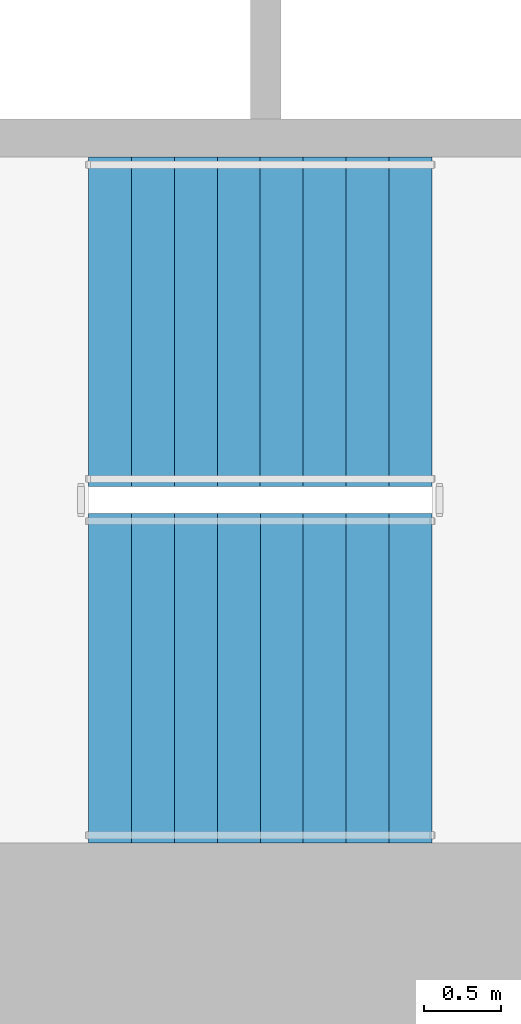
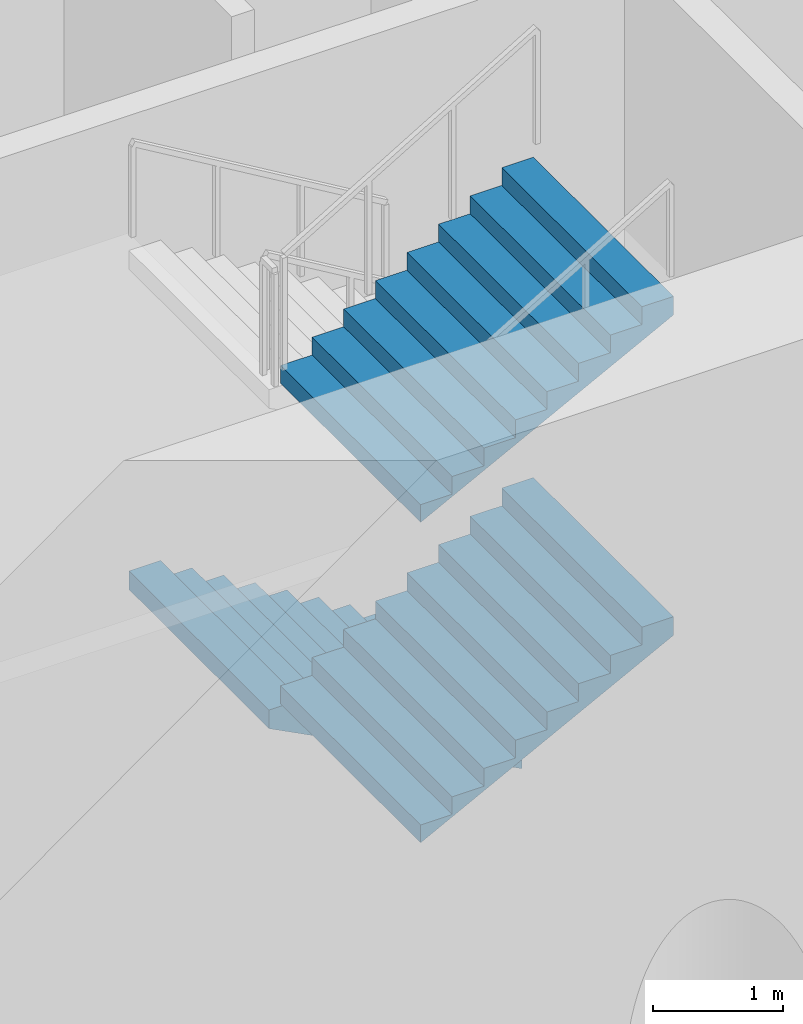
# One storey, part 11 of 19: 3 stair flights, 1 element without a shape of its own.
"""IFC4 building model written with IfcOpenShell, lengths in metres."""

from ifc_helpers import new_model, si_unit, direction, frame, origin, place, context, subcontext, project, spatial, triangles, material, type_object, element, aggregate, save


model = new_model("IFC4")

# Units and contexts
model_context = context("Model", 3, precision=1e-05, world=origin(), true_north=direction((0.0, 1.0)))
body_context = subcontext(model_context, "Body", "Model", "MODEL_VIEW")
ifc_project = project(units=[si_unit("LENGTHUNIT", "METRE"), si_unit("AREAUNIT", "SQUARE_METRE"), si_unit("VOLUMEUNIT", "CUBIC_METRE"), si_unit("PLANEANGLEUNIT", "RADIAN"), si_unit("MASSUNIT", "GRAM", prefix="KILO")], contexts=[model_context])

# Site, building, storey
site_placement = place(None, origin())
site = spatial("IfcSite", under=ifc_project, at=site_placement, CompositionType="ELEMENT")
building_placement = place(site_placement, origin())
building = spatial("IfcBuilding", under=site, at=building_placement, Name="Cypress Arch Tower", CompositionType="ELEMENT")
storey_placement = place(building_placement, frame((0.0, 0.0, 44.0)))
storey = spatial("IfcBuildingStorey", under=building, at=storey_placement, Name="L05", CompositionType="ELEMENT", Elevation=44.0)

# Stair, stair flights
ifc_material_1 = material(Name="Concrete C40/50", Category="concrete")
stair_type = type_object("IfcStairType", Name="Exit stair ES1667-215", PredefinedType="HALF_TURN_STAIR", material=ifc_material_1)
stair_placement = place(storey_placement, origin())
stair = element("IfcStair", 1, at=stair_placement, inside=storey, type_object=stair_type, Name="L05 Exit stair A", PredefinedType="HALF_TURN_STAIR")
ifc_material_2 = material(Name="Concrete C40/50", Category="concrete")
stair_flight_type = type_object("IfcStairFlightType", Name="Exit stair flight ES1667-215", PredefinedType="STRAIGHT", material=ifc_material_2)
stair_flight_1_placement = place(storey_placement, frame((-22.27490234375, -11.39990234375, 0.0), z_axis=(0.0, 0.0, 1.0), x_axis=(-1.0, 0.0, 0.0)))
stair_flight_1 = element("IfcStairFlight", 2, at=stair_flight_1_placement, type_object=stair_flight_type, Name="A flight 1", NumberOfRisers=9, NumberOfTreads=8, PredefinedType="STRAIGHT", RiserHeight=0.166666667, TreadLength=0.28, context=body_context, shape_type="Tessellation", body=[
    triangles([(0.0, -1.074951171875, 0.0), (0.000244140625, -1.074951171875, 0.0185546875), (0.000244140625, -1.074951171875, 0.037109375), (0.00048828125, -1.074951171875, 0.0556640625), (0.00048828125, -1.074951171875, 0.07421875), (0.00048828125, -1.074951171875, 0.092529296875), (0.00048828125, -1.074951171875, 0.111083984375), (0.000244140625, -1.074951171875, 0.129638671875), (0.000244140625, -1.074951171875, 0.148193359375), (0.0, -1.074951171875, 0.166748046875), (0.280029296875, -1.074951171875, 0.166748046875), (0.280029296875, -1.074951171875, 0.333251953125), (0.56005859375, -1.074951171875, 0.333251953125), (0.56005859375, -1.074951171875, 0.5), (0.840087890625, -1.074951171875, 0.5), (0.840087890625, -1.074951171875, 0.666748046875), (1.1201171875, -1.074951171875, 0.666748046875), (1.1201171875, -1.074951171875, 0.833251953125), (1.39990234375, -1.074951171875, 0.833251953125), (1.39990234375, -1.074951171875, 1.0), (1.679931640625, -1.074951171875, 1.0), (1.679931640625, -1.074951171875, 1.166748046875), (1.9599609375, -1.074951171875, 1.166748046875), (1.9599609375, -1.074951171875, 1.333251953125), (2.239990234375, -1.074951171875, 1.333251953125), (2.23974609375, -1.074951171875, 1.31396484375), (2.23974609375, -1.074951171875, 1.29443359375), (2.239501953125, -1.074951171875, 1.275146484375), (2.239501953125, -1.074951171875, 1.255859375), (2.239501953125, -1.074951171875, 1.236328125), (2.239501953125, -1.074951171875, 1.217041015625), (2.23974609375, -1.074951171875, 1.19775390625), (2.23974609375, -1.074951171875, 1.17822265625), (2.239990234375, -1.074951171875, 1.158935546875), (2.239990234375, 1.074951171875, 1.158935546875), (2.23974609375, 1.074951171875, 1.17822265625), (2.23974609375, 1.074951171875, 1.19775390625), (2.239501953125, 1.074951171875, 1.217041015625), (2.239501953125, 1.074951171875, 1.236328125), (2.239501953125, 1.074951171875, 1.255859375), (2.239501953125, 1.074951171875, 1.275146484375), (2.23974609375, 1.074951171875, 1.29443359375), (2.23974609375, 1.074951171875, 1.31396484375), (2.239990234375, 1.074951171875, 1.333251953125), (1.9599609375, 1.074951171875, 1.333251953125), (1.9599609375, 1.074951171875, 1.166748046875), (1.679931640625, 1.074951171875, 1.166748046875), (1.679931640625, 1.074951171875, 1.0), (1.39990234375, 1.074951171875, 1.0), (1.39990234375, 1.074951171875, 0.833251953125), (1.1201171875, 1.074951171875, 0.833251953125), (1.1201171875, 1.074951171875, 0.666748046875), (0.840087890625, 1.074951171875, 0.666748046875), (0.840087890625, 1.074951171875, 0.5), (0.56005859375, 1.074951171875, 0.5), (0.56005859375, 1.074951171875, 0.333251953125), (0.280029296875, 1.074951171875, 0.333251953125), (0.280029296875, 1.074951171875, 0.166748046875), (0.0, 1.074951171875, 0.166748046875), (0.000244140625, 1.074951171875, 0.148193359375), (0.000244140625, 1.074951171875, 0.129638671875), (0.00048828125, 1.074951171875, 0.111083984375), (0.00048828125, 1.074951171875, 0.092529296875), (0.00048828125, 1.074951171875, 0.07421875), (0.00048828125, 1.074951171875, 0.0556640625), (0.000244140625, 1.074951171875, 0.037109375), (0.000244140625, 1.074951171875, 0.0185546875), (0.0, 1.074951171875, 0.0), (2.23974609375, -0.3583984375, 1.17822265625), (2.239990234375, -0.3583984375, 1.158935546875), (2.23974609375, 0.3583984375, 1.17822265625), (2.239990234375, 0.3583984375, 1.158935546875), (2.23974609375, -0.3583984375, 1.19775390625), (2.23974609375, 0.3583984375, 1.19775390625), (2.239501953125, -0.3583984375, 1.217041015625), (2.239501953125, 0.3583984375, 1.217041015625), (2.239501953125, -0.3583984375, 1.236328125), (2.239501953125, 0.3583984375, 1.236328125), (2.239501953125, -0.3583984375, 1.255859375), (2.239501953125, 0.3583984375, 1.255859375), (2.239501953125, -0.3583984375, 1.275146484375), (2.239501953125, 0.3583984375, 1.275146484375), (2.23974609375, -0.3583984375, 1.29443359375), (2.23974609375, 0.3583984375, 1.29443359375), (2.23974609375, -0.3583984375, 1.31396484375), (2.23974609375, 0.3583984375, 1.31396484375), (2.239990234375, -0.3583984375, 1.333251953125), (2.239990234375, 0.3583984375, 1.333251953125), (1.9599609375, -0.3583984375, 1.333251953125), (1.9599609375, 0.3583984375, 1.333251953125), (1.9599609375, -0.3583984375, 1.166748046875), (1.9599609375, 0.3583984375, 1.166748046875), (1.679931640625, -0.3583984375, 1.166748046875), (1.679931640625, 0.3583984375, 1.166748046875), (1.679931640625, -0.3583984375, 1.0), (1.679931640625, 0.3583984375, 1.0), (1.39990234375, -0.3583984375, 1.0), (1.39990234375, 0.3583984375, 1.0), (1.39990234375, -0.3583984375, 0.833251953125), (1.39990234375, 0.3583984375, 0.833251953125), (1.1201171875, -0.3583984375, 0.833251953125), (1.1201171875, 0.3583984375, 0.833251953125), (1.1201171875, -0.3583984375, 0.666748046875), (1.1201171875, 0.3583984375, 0.666748046875), (0.840087890625, -0.3583984375, 0.666748046875), (0.840087890625, 0.3583984375, 0.666748046875), (0.840087890625, -0.3583984375, 0.5), (0.840087890625, 0.3583984375, 0.5), (0.56005859375, -0.3583984375, 0.5), (0.56005859375, 0.3583984375, 0.5), (0.56005859375, -0.3583984375, 0.333251953125), (0.56005859375, 0.3583984375, 0.333251953125), (0.280029296875, -0.3583984375, 0.333251953125), (0.280029296875, 0.3583984375, 0.333251953125), (0.280029296875, -0.3583984375, 0.166748046875), (0.280029296875, 0.3583984375, 0.166748046875), (0.0, -0.3583984375, 0.166748046875), (0.0, 0.3583984375, 0.166748046875), (0.000244140625, -0.3583984375, 0.148193359375), (0.000244140625, 0.3583984375, 0.148193359375), (0.000244140625, -0.3583984375, 0.129638671875), (0.000244140625, 0.3583984375, 0.129638671875), (0.00048828125, -0.3583984375, 0.111083984375), (0.00048828125, 0.3583984375, 0.111083984375), (0.00048828125, -0.3583984375, 0.092529296875), (0.00048828125, 0.3583984375, 0.092529296875), (0.00048828125, -0.3583984375, 0.07421875), (0.00048828125, 0.3583984375, 0.07421875), (0.00048828125, -0.3583984375, 0.0556640625), (0.00048828125, 0.3583984375, 0.0556640625), (0.000244140625, -0.3583984375, 0.037109375), (0.000244140625, 0.3583984375, 0.037109375), (0.000244140625, -0.3583984375, 0.0185546875), (0.000244140625, 0.3583984375, 0.0185546875), (0.0, -0.3583984375, 0.0), (0.0, 0.3583984375, 0.0)], [[34, 33, 24], [33, 32, 24], [32, 31, 24], [31, 30, 24], [30, 29, 24], [29, 28, 24], [28, 27, 24], [27, 26, 24], [26, 25, 24], [23, 22, 21], [21, 20, 19], [17, 16, 15], [15, 14, 13], [10, 9, 11], [9, 8, 11], [8, 7, 11], [7, 6, 11], [6, 5, 11], [5, 4, 11], [4, 3, 11], [3, 2, 11], [2, 1, 11], [19, 18, 17], [13, 12, 11], [34, 24, 23], [34, 23, 21], [34, 21, 19], [34, 19, 17], [34, 17, 15], [34, 15, 13], [1, 34, 13], [13, 11, 1], [35, 45, 36], [36, 45, 37], [37, 45, 38], [38, 45, 39], [39, 45, 40], [40, 45, 41], [41, 45, 42], [42, 45, 43], [43, 45, 44], [46, 48, 47], [48, 50, 49], [52, 54, 53], [54, 56, 55], [59, 58, 60], [60, 58, 61], [61, 58, 62], [62, 58, 63], [63, 58, 64], [64, 58, 65], [65, 58, 66], [66, 58, 67], [67, 58, 68], [50, 52, 51], [56, 58, 57], [35, 46, 45], [35, 48, 46], [35, 50, 48], [35, 52, 50], [35, 54, 52], [35, 56, 54], [68, 56, 35], [56, 68, 58], [70, 69, 33], [70, 33, 34], [72, 71, 69], [72, 69, 70], [35, 36, 71], [35, 71, 72], [69, 73, 32], [69, 32, 33], [71, 74, 73], [71, 73, 69], [36, 37, 74], [36, 74, 71], [73, 75, 31], [73, 31, 32], [74, 76, 75], [74, 75, 73], [37, 38, 76], [37, 76, 74], [75, 77, 30], [75, 30, 31], [76, 78, 77], [76, 77, 75], [38, 39, 78], [38, 78, 76], [77, 79, 29], [77, 29, 30], [78, 80, 79], [78, 79, 77], [39, 40, 80], [39, 80, 78], [79, 81, 28], [79, 28, 29], [80, 82, 81], [80, 81, 79], [40, 41, 82], [40, 82, 80], [81, 83, 27], [81, 27, 28], [82, 84, 83], [82, 83, 81], [41, 42, 84], [41, 84, 82], [83, 85, 26], [83, 26, 27], [84, 86, 85], [84, 85, 83], [42, 43, 86], [42, 86, 84], [85, 87, 25], [85, 25, 26], [86, 88, 87], [86, 87, 85], [43, 44, 88], [43, 88, 86], [87, 89, 24], [87, 24, 25], [88, 90, 89], [88, 89, 87], [44, 45, 90], [44, 90, 88], [89, 91, 23], [89, 23, 24], [90, 92, 91], [90, 91, 89], [45, 46, 92], [45, 92, 90], [91, 93, 22], [91, 22, 23], [92, 94, 93], [92, 93, 91], [46, 47, 94], [46, 94, 92], [93, 95, 21], [93, 21, 22], [94, 96, 95], [94, 95, 93], [47, 48, 96], [47, 96, 94], [95, 97, 20], [95, 20, 21], [96, 98, 97], [96, 97, 95], [48, 49, 98], [48, 98, 96], [97, 99, 19], [97, 19, 20], [98, 100, 99], [98, 99, 97], [49, 50, 100], [49, 100, 98], [99, 101, 18], [99, 18, 19], [100, 102, 101], [100, 101, 99], [50, 51, 102], [50, 102, 100], [101, 103, 17], [101, 17, 18], [102, 104, 103], [102, 103, 101], [51, 52, 104], [51, 104, 102], [103, 105, 16], [103, 16, 17], [104, 106, 105], [104, 105, 103], [52, 53, 106], [52, 106, 104], [105, 107, 15], [105, 15, 16], [106, 108, 107], [106, 107, 105], [53, 54, 108], [53, 108, 106], [107, 109, 14], [107, 14, 15], [108, 110, 109], [108, 109, 107], [54, 55, 110], [54, 110, 108], [109, 111, 13], [109, 13, 14], [110, 112, 111], [110, 111, 109], [55, 56, 112], [55, 112, 110], [111, 113, 12], [111, 12, 13], [112, 114, 113], [112, 113, 111], [56, 57, 114], [56, 114, 112], [113, 115, 11], [113, 11, 12], [114, 116, 115], [114, 115, 113], [57, 58, 116], [57, 116, 114], [115, 117, 10], [115, 10, 11], [116, 118, 117], [116, 117, 115], [58, 59, 118], [58, 118, 116], [117, 119, 9], [117, 9, 10], [118, 120, 119], [118, 119, 117], [59, 60, 120], [59, 120, 118], [119, 121, 8], [119, 8, 9], [120, 122, 121], [120, 121, 119], [60, 61, 122], [60, 122, 120], [121, 123, 7], [121, 7, 8], [122, 124, 123], [122, 123, 121], [61, 62, 124], [61, 124, 122], [123, 125, 6], [123, 6, 7], [124, 126, 125], [124, 125, 123], [62, 63, 126], [62, 126, 124], [125, 127, 5], [125, 5, 6], [126, 128, 127], [126, 127, 125], [63, 64, 128], [63, 128, 126], [127, 129, 4], [127, 4, 5], [128, 130, 129], [128, 129, 127], [64, 65, 130], [64, 130, 128], [129, 131, 3], [129, 3, 4], [130, 132, 131], [130, 131, 129], [65, 66, 132], [65, 132, 130], [131, 133, 2], [131, 2, 3], [132, 134, 133], [132, 133, 131], [66, 67, 134], [66, 134, 132], [133, 135, 1], [133, 1, 2], [134, 136, 135], [134, 135, 133], [67, 68, 136], [67, 136, 134], [135, 70, 34], [135, 34, 1], [136, 72, 70], [136, 70, 135], [68, 35, 72], [68, 72, 136]], closed=True),
])
stair_flight_2_placement = place(storey_placement, frame((-24.514892578125, -13.72509765625, 1.5), z_axis=(0.0, 0.0, 1.0), x_axis=(1.0, 0.0, 0.0)))
stair_flight_2 = element("IfcStairFlight", 3, at=stair_flight_2_placement, type_object=stair_flight_type, Name="A flight 2", NumberOfRisers=9, NumberOfTreads=8, PredefinedType="STRAIGHT", RiserHeight=0.166666667, TreadLength=0.28, context=body_context, shape_type="Tessellation", body=[
    triangles([(0.0, -1.074951171875, 0.0), (0.000244140625, -1.074951171875, 0.0185546875), (0.000244140625, -1.074951171875, 0.037109375), (0.00048828125, -1.074951171875, 0.0556640625), (0.00048828125, -1.074951171875, 0.07421875), (0.00048828125, -1.074951171875, 0.092529296875), (0.00048828125, -1.074951171875, 0.111083984375), (0.000244140625, -1.074951171875, 0.129638671875), (0.000244140625, -1.074951171875, 0.148193359375), (0.0, -1.074951171875, 0.166748046875), (0.280029296875, -1.074951171875, 0.166748046875), (0.280029296875, -1.074951171875, 0.333251953125), (0.56005859375, -1.074951171875, 0.333251953125), (0.56005859375, -1.074951171875, 0.5), (0.840087890625, -1.074951171875, 0.5), (0.840087890625, -1.074951171875, 0.666748046875), (1.1201171875, -1.074951171875, 0.666748046875), (1.1201171875, -1.074951171875, 0.833251953125), (1.39990234375, -1.074951171875, 0.833251953125), (1.39990234375, -1.074951171875, 1.0), (1.679931640625, -1.074951171875, 1.0), (1.679931640625, -1.074951171875, 1.166748046875), (1.9599609375, -1.074951171875, 1.166748046875), (1.9599609375, -1.074951171875, 1.333251953125), (2.239990234375, -1.074951171875, 1.333251953125), (2.23974609375, -1.074951171875, 1.31396484375), (2.23974609375, -1.074951171875, 1.29443359375), (2.239501953125, -1.074951171875, 1.275146484375), (2.239501953125, -1.074951171875, 1.255859375), (2.239501953125, -1.074951171875, 1.236328125), (2.239501953125, -1.074951171875, 1.217041015625), (2.23974609375, -1.074951171875, 1.19775390625), (2.23974609375, -1.074951171875, 1.17822265625), (2.239990234375, -1.074951171875, 1.158935546875), (2.239990234375, 1.074951171875, 1.158935546875), (2.23974609375, 1.074951171875, 1.17822265625), (2.23974609375, 1.074951171875, 1.19775390625), (2.239501953125, 1.074951171875, 1.217041015625), (2.239501953125, 1.074951171875, 1.236328125), (2.239501953125, 1.074951171875, 1.255859375), (2.239501953125, 1.074951171875, 1.275146484375), (2.23974609375, 1.074951171875, 1.29443359375), (2.23974609375, 1.074951171875, 1.31396484375), (2.239990234375, 1.074951171875, 1.333251953125), (1.9599609375, 1.074951171875, 1.333251953125), (1.9599609375, 1.074951171875, 1.166748046875), (1.679931640625, 1.074951171875, 1.166748046875), (1.679931640625, 1.074951171875, 1.0), (1.39990234375, 1.074951171875, 1.0), (1.39990234375, 1.074951171875, 0.833251953125), (1.1201171875, 1.074951171875, 0.833251953125), (1.1201171875, 1.074951171875, 0.666748046875), (0.840087890625, 1.074951171875, 0.666748046875), (0.840087890625, 1.074951171875, 0.5), (0.56005859375, 1.074951171875, 0.5), (0.56005859375, 1.074951171875, 0.333251953125), (0.280029296875, 1.074951171875, 0.333251953125), (0.280029296875, 1.074951171875, 0.166748046875), (0.0, 1.074951171875, 0.166748046875), (0.000244140625, 1.074951171875, 0.148193359375), (0.000244140625, 1.074951171875, 0.129638671875), (0.00048828125, 1.074951171875, 0.111083984375), (0.00048828125, 1.074951171875, 0.092529296875), (0.00048828125, 1.074951171875, 0.07421875), (0.00048828125, 1.074951171875, 0.0556640625), (0.000244140625, 1.074951171875, 0.037109375), (0.000244140625, 1.074951171875, 0.0185546875), (0.0, 1.074951171875, 0.0), (2.23974609375, -0.3583984375, 1.17822265625), (2.239990234375, -0.3583984375, 1.158935546875), (2.23974609375, 0.3583984375, 1.17822265625), (2.239990234375, 0.3583984375, 1.158935546875), (2.23974609375, -0.3583984375, 1.19775390625), (2.23974609375, 0.3583984375, 1.19775390625), (2.239501953125, -0.3583984375, 1.217041015625), (2.239501953125, 0.3583984375, 1.217041015625), (2.239501953125, -0.3583984375, 1.236328125), (2.239501953125, 0.3583984375, 1.236328125), (2.239501953125, -0.3583984375, 1.255859375), (2.239501953125, 0.3583984375, 1.255859375), (2.239501953125, -0.3583984375, 1.275146484375), (2.239501953125, 0.3583984375, 1.275146484375), (2.23974609375, -0.3583984375, 1.29443359375), (2.23974609375, 0.3583984375, 1.29443359375), (2.23974609375, -0.3583984375, 1.31396484375), (2.23974609375, 0.3583984375, 1.31396484375), (2.239990234375, -0.3583984375, 1.333251953125), (2.239990234375, 0.3583984375, 1.333251953125), (1.9599609375, -0.3583984375, 1.333251953125), (1.9599609375, 0.3583984375, 1.333251953125), (1.9599609375, -0.3583984375, 1.166748046875), (1.9599609375, 0.3583984375, 1.166748046875), (1.679931640625, -0.3583984375, 1.166748046875), (1.679931640625, 0.3583984375, 1.166748046875), (1.679931640625, -0.3583984375, 1.0), (1.679931640625, 0.3583984375, 1.0), (1.39990234375, -0.3583984375, 1.0), (1.39990234375, 0.3583984375, 1.0), (1.39990234375, -0.3583984375, 0.833251953125), (1.39990234375, 0.3583984375, 0.833251953125), (1.1201171875, -0.3583984375, 0.833251953125), (1.1201171875, 0.3583984375, 0.833251953125), (1.1201171875, -0.3583984375, 0.666748046875), (1.1201171875, 0.3583984375, 0.666748046875), (0.840087890625, -0.3583984375, 0.666748046875), (0.840087890625, 0.3583984375, 0.666748046875), (0.840087890625, -0.3583984375, 0.5), (0.840087890625, 0.3583984375, 0.5), (0.56005859375, -0.3583984375, 0.5), (0.56005859375, 0.3583984375, 0.5), (0.56005859375, -0.3583984375, 0.333251953125), (0.56005859375, 0.3583984375, 0.333251953125), (0.280029296875, -0.3583984375, 0.333251953125), (0.280029296875, 0.3583984375, 0.333251953125), (0.280029296875, -0.3583984375, 0.166748046875), (0.280029296875, 0.3583984375, 0.166748046875), (0.0, -0.3583984375, 0.166748046875), (0.0, 0.3583984375, 0.166748046875), (0.000244140625, -0.3583984375, 0.148193359375), (0.000244140625, 0.3583984375, 0.148193359375), (0.000244140625, -0.3583984375, 0.129638671875), (0.000244140625, 0.3583984375, 0.129638671875), (0.00048828125, -0.3583984375, 0.111083984375), (0.00048828125, 0.3583984375, 0.111083984375), (0.00048828125, -0.3583984375, 0.092529296875), (0.00048828125, 0.3583984375, 0.092529296875), (0.00048828125, -0.3583984375, 0.07421875), (0.00048828125, 0.3583984375, 0.07421875), (0.00048828125, -0.3583984375, 0.0556640625), (0.00048828125, 0.3583984375, 0.0556640625), (0.000244140625, -0.3583984375, 0.037109375), (0.000244140625, 0.3583984375, 0.037109375), (0.000244140625, -0.3583984375, 0.0185546875), (0.000244140625, 0.3583984375, 0.0185546875), (0.0, -0.3583984375, 0.0), (0.0, 0.3583984375, 0.0)], [[34, 33, 24], [33, 32, 24], [32, 31, 24], [31, 30, 24], [30, 29, 24], [29, 28, 24], [28, 27, 24], [27, 26, 24], [26, 25, 24], [23, 22, 21], [21, 20, 19], [17, 16, 15], [15, 14, 13], [10, 9, 11], [9, 8, 11], [8, 7, 11], [7, 6, 11], [6, 5, 11], [5, 4, 11], [4, 3, 11], [3, 2, 11], [2, 1, 11], [19, 18, 17], [13, 12, 11], [34, 24, 23], [34, 23, 21], [34, 21, 19], [34, 19, 17], [34, 17, 15], [34, 15, 13], [1, 34, 13], [13, 11, 1], [35, 45, 36], [36, 45, 37], [37, 45, 38], [38, 45, 39], [39, 45, 40], [40, 45, 41], [41, 45, 42], [42, 45, 43], [43, 45, 44], [46, 48, 47], [48, 50, 49], [52, 54, 53], [54, 56, 55], [59, 58, 60], [60, 58, 61], [61, 58, 62], [62, 58, 63], [63, 58, 64], [64, 58, 65], [65, 58, 66], [66, 58, 67], [67, 58, 68], [50, 52, 51], [56, 58, 57], [35, 46, 45], [35, 48, 46], [35, 50, 48], [35, 52, 50], [35, 54, 52], [35, 56, 54], [68, 56, 35], [56, 68, 58], [70, 69, 33], [70, 33, 34], [72, 71, 69], [72, 69, 70], [35, 36, 71], [35, 71, 72], [69, 73, 32], [69, 32, 33], [71, 74, 73], [71, 73, 69], [36, 37, 74], [36, 74, 71], [73, 75, 31], [73, 31, 32], [74, 76, 75], [74, 75, 73], [37, 38, 76], [37, 76, 74], [75, 77, 30], [75, 30, 31], [76, 78, 77], [76, 77, 75], [38, 39, 78], [38, 78, 76], [77, 79, 29], [77, 29, 30], [78, 80, 79], [78, 79, 77], [39, 40, 80], [39, 80, 78], [79, 81, 28], [79, 28, 29], [80, 82, 81], [80, 81, 79], [40, 41, 82], [40, 82, 80], [81, 83, 27], [81, 27, 28], [82, 84, 83], [82, 83, 81], [41, 42, 84], [41, 84, 82], [83, 85, 26], [83, 26, 27], [84, 86, 85], [84, 85, 83], [42, 43, 86], [42, 86, 84], [85, 87, 25], [85, 25, 26], [86, 88, 87], [86, 87, 85], [43, 44, 88], [43, 88, 86], [87, 89, 24], [87, 24, 25], [88, 90, 89], [88, 89, 87], [44, 45, 90], [44, 90, 88], [89, 91, 23], [89, 23, 24], [90, 92, 91], [90, 91, 89], [45, 46, 92], [45, 92, 90], [91, 93, 22], [91, 22, 23], [92, 94, 93], [92, 93, 91], [46, 47, 94], [46, 94, 92], [93, 95, 21], [93, 21, 22], [94, 96, 95], [94, 95, 93], [47, 48, 96], [47, 96, 94], [95, 97, 20], [95, 20, 21], [96, 98, 97], [96, 97, 95], [48, 49, 98], [48, 98, 96], [97, 99, 19], [97, 19, 20], [98, 100, 99], [98, 99, 97], [49, 50, 100], [49, 100, 98], [99, 101, 18], [99, 18, 19], [100, 102, 101], [100, 101, 99], [50, 51, 102], [50, 102, 100], [101, 103, 17], [101, 17, 18], [102, 104, 103], [102, 103, 101], [51, 52, 104], [51, 104, 102], [103, 105, 16], [103, 16, 17], [104, 106, 105], [104, 105, 103], [52, 53, 106], [52, 106, 104], [105, 107, 15], [105, 15, 16], [106, 108, 107], [106, 107, 105], [53, 54, 108], [53, 108, 106], [107, 109, 14], [107, 14, 15], [108, 110, 109], [108, 109, 107], [54, 55, 110], [54, 110, 108], [109, 111, 13], [109, 13, 14], [110, 112, 111], [110, 111, 109], [55, 56, 112], [55, 112, 110], [111, 113, 12], [111, 12, 13], [112, 114, 113], [112, 113, 111], [56, 57, 114], [56, 114, 112], [113, 115, 11], [113, 11, 12], [114, 116, 115], [114, 115, 113], [57, 58, 116], [57, 116, 114], [115, 117, 10], [115, 10, 11], [116, 118, 117], [116, 117, 115], [58, 59, 118], [58, 118, 116], [117, 119, 9], [117, 9, 10], [118, 120, 119], [118, 119, 117], [59, 60, 120], [59, 120, 118], [119, 121, 8], [119, 8, 9], [120, 122, 121], [120, 121, 119], [60, 61, 122], [60, 122, 120], [121, 123, 7], [121, 7, 8], [122, 124, 123], [122, 123, 121], [61, 62, 124], [61, 124, 122], [123, 125, 6], [123, 6, 7], [124, 126, 125], [124, 125, 123], [62, 63, 126], [62, 126, 124], [125, 127, 5], [125, 5, 6], [126, 128, 127], [126, 127, 125], [63, 64, 128], [63, 128, 126], [127, 129, 4], [127, 4, 5], [128, 130, 129], [128, 129, 127], [64, 65, 130], [64, 130, 128], [129, 131, 3], [129, 3, 4], [130, 132, 131], [130, 131, 129], [65, 66, 132], [65, 132, 130], [131, 133, 2], [131, 2, 3], [132, 134, 133], [132, 133, 131], [66, 67, 134], [66, 134, 132], [133, 135, 1], [133, 1, 2], [134, 136, 135], [134, 135, 133], [67, 68, 136], [67, 136, 134], [135, 70, 34], [135, 34, 1], [136, 72, 70], [136, 70, 135], [68, 35, 72], [68, 72, 136]], closed=True),
])
stair_flight_3_placement = place(storey_placement, frame((-24.514892578125, -13.72509765625, 4.5), z_axis=(0.0, 0.0, 1.0), x_axis=(1.0, 0.0, 0.0)))
stair_flight_3 = element("IfcStairFlight", 4, at=stair_flight_3_placement, type_object=stair_flight_type, Name="A flight 4", NumberOfRisers=9, NumberOfTreads=8, PredefinedType="STRAIGHT", RiserHeight=0.166666667, TreadLength=0.28, context=body_context, shape_type="Tessellation", body=[
    triangles([(0.0, -1.074951171875, 0.0), (0.000244140625, -1.074951171875, 0.0185546875), (0.000244140625, -1.074951171875, 0.037109375), (0.00048828125, -1.074951171875, 0.0556640625), (0.00048828125, -1.074951171875, 0.07421875), (0.00048828125, -1.074951171875, 0.092529296875), (0.00048828125, -1.074951171875, 0.111083984375), (0.000244140625, -1.074951171875, 0.129638671875), (0.000244140625, -1.074951171875, 0.148193359375), (0.0, -1.074951171875, 0.166748046875), (0.280029296875, -1.074951171875, 0.166748046875), (0.280029296875, -1.074951171875, 0.333251953125), (0.56005859375, -1.074951171875, 0.333251953125), (0.56005859375, -1.074951171875, 0.5), (0.840087890625, -1.074951171875, 0.5), (0.840087890625, -1.074951171875, 0.666748046875), (1.1201171875, -1.074951171875, 0.666748046875), (1.1201171875, -1.074951171875, 0.833251953125), (1.39990234375, -1.074951171875, 0.833251953125), (1.39990234375, -1.074951171875, 1.0), (1.679931640625, -1.074951171875, 1.0), (1.679931640625, -1.074951171875, 1.166748046875), (1.9599609375, -1.074951171875, 1.166748046875), (1.9599609375, -1.074951171875, 1.333251953125), (2.239990234375, -1.074951171875, 1.333251953125), (2.23974609375, -1.074951171875, 1.31396484375), (2.23974609375, -1.074951171875, 1.29443359375), (2.239501953125, -1.074951171875, 1.275146484375), (2.239501953125, -1.074951171875, 1.255859375), (2.239501953125, -1.074951171875, 1.236328125), (2.239501953125, -1.074951171875, 1.217041015625), (2.23974609375, -1.074951171875, 1.19775390625), (2.23974609375, -1.074951171875, 1.17822265625), (2.239990234375, -1.074951171875, 1.158935546875), (2.239990234375, 1.074951171875, 1.158935546875), (2.23974609375, 1.074951171875, 1.17822265625), (2.23974609375, 1.074951171875, 1.19775390625), (2.239501953125, 1.074951171875, 1.217041015625), (2.239501953125, 1.074951171875, 1.236328125), (2.239501953125, 1.074951171875, 1.255859375), (2.239501953125, 1.074951171875, 1.275146484375), (2.23974609375, 1.074951171875, 1.29443359375), (2.23974609375, 1.074951171875, 1.31396484375), (2.239990234375, 1.074951171875, 1.333251953125), (1.9599609375, 1.074951171875, 1.333251953125), (1.9599609375, 1.074951171875, 1.166748046875), (1.679931640625, 1.074951171875, 1.166748046875), (1.679931640625, 1.074951171875, 1.0), (1.39990234375, 1.074951171875, 1.0), (1.39990234375, 1.074951171875, 0.833251953125), (1.1201171875, 1.074951171875, 0.833251953125), (1.1201171875, 1.074951171875, 0.666748046875), (0.840087890625, 1.074951171875, 0.666748046875), (0.840087890625, 1.074951171875, 0.5), (0.56005859375, 1.074951171875, 0.5), (0.56005859375, 1.074951171875, 0.333251953125), (0.280029296875, 1.074951171875, 0.333251953125), (0.280029296875, 1.074951171875, 0.166748046875), (0.0, 1.074951171875, 0.166748046875), (0.000244140625, 1.074951171875, 0.148193359375), (0.000244140625, 1.074951171875, 0.129638671875), (0.00048828125, 1.074951171875, 0.111083984375), (0.00048828125, 1.074951171875, 0.092529296875), (0.00048828125, 1.074951171875, 0.07421875), (0.00048828125, 1.074951171875, 0.0556640625), (0.000244140625, 1.074951171875, 0.037109375), (0.000244140625, 1.074951171875, 0.0185546875), (0.0, 1.074951171875, 0.0), (2.23974609375, -0.3583984375, 1.17822265625), (2.239990234375, -0.3583984375, 1.158935546875), (2.23974609375, 0.3583984375, 1.17822265625), (2.239990234375, 0.3583984375, 1.158935546875), (2.23974609375, -0.3583984375, 1.19775390625), (2.23974609375, 0.3583984375, 1.19775390625), (2.239501953125, -0.3583984375, 1.217041015625), (2.239501953125, 0.3583984375, 1.217041015625), (2.239501953125, -0.3583984375, 1.236328125), (2.239501953125, 0.3583984375, 1.236328125), (2.239501953125, -0.3583984375, 1.255859375), (2.239501953125, 0.3583984375, 1.255859375), (2.239501953125, -0.3583984375, 1.275146484375), (2.239501953125, 0.3583984375, 1.275146484375), (2.23974609375, -0.3583984375, 1.29443359375), (2.23974609375, 0.3583984375, 1.29443359375), (2.23974609375, -0.3583984375, 1.31396484375), (2.23974609375, 0.3583984375, 1.31396484375), (2.239990234375, -0.3583984375, 1.333251953125), (2.239990234375, 0.3583984375, 1.333251953125), (1.9599609375, -0.3583984375, 1.333251953125), (1.9599609375, 0.3583984375, 1.333251953125), (1.9599609375, -0.3583984375, 1.166748046875), (1.9599609375, 0.3583984375, 1.166748046875), (1.679931640625, -0.3583984375, 1.166748046875), (1.679931640625, 0.3583984375, 1.166748046875), (1.679931640625, -0.3583984375, 1.0), (1.679931640625, 0.3583984375, 1.0), (1.39990234375, -0.3583984375, 1.0), (1.39990234375, 0.3583984375, 1.0), (1.39990234375, -0.3583984375, 0.833251953125), (1.39990234375, 0.3583984375, 0.833251953125), (1.1201171875, -0.3583984375, 0.833251953125), (1.1201171875, 0.3583984375, 0.833251953125), (1.1201171875, -0.3583984375, 0.666748046875), (1.1201171875, 0.3583984375, 0.666748046875), (0.840087890625, -0.3583984375, 0.666748046875), (0.840087890625, 0.3583984375, 0.666748046875), (0.840087890625, -0.3583984375, 0.5), (0.840087890625, 0.3583984375, 0.5), (0.56005859375, -0.3583984375, 0.5), (0.56005859375, 0.3583984375, 0.5), (0.56005859375, -0.3583984375, 0.333251953125), (0.56005859375, 0.3583984375, 0.333251953125), (0.280029296875, -0.3583984375, 0.333251953125), (0.280029296875, 0.3583984375, 0.333251953125), (0.280029296875, -0.3583984375, 0.166748046875), (0.280029296875, 0.3583984375, 0.166748046875), (0.0, -0.3583984375, 0.166748046875), (0.0, 0.3583984375, 0.166748046875), (0.000244140625, -0.3583984375, 0.148193359375), (0.000244140625, 0.3583984375, 0.148193359375), (0.000244140625, -0.3583984375, 0.129638671875), (0.000244140625, 0.3583984375, 0.129638671875), (0.00048828125, -0.3583984375, 0.111083984375), (0.00048828125, 0.3583984375, 0.111083984375), (0.00048828125, -0.3583984375, 0.092529296875), (0.00048828125, 0.3583984375, 0.092529296875), (0.00048828125, -0.3583984375, 0.07421875), (0.00048828125, 0.3583984375, 0.07421875), (0.00048828125, -0.3583984375, 0.0556640625), (0.00048828125, 0.3583984375, 0.0556640625), (0.000244140625, -0.3583984375, 0.037109375), (0.000244140625, 0.3583984375, 0.037109375), (0.000244140625, -0.3583984375, 0.0185546875), (0.000244140625, 0.3583984375, 0.0185546875), (0.0, -0.3583984375, 0.0), (0.0, 0.3583984375, 0.0)], [[34, 33, 24], [33, 32, 24], [32, 31, 24], [31, 30, 24], [30, 29, 24], [29, 28, 24], [28, 27, 24], [27, 26, 24], [26, 25, 24], [23, 22, 21], [21, 20, 19], [17, 16, 15], [15, 14, 13], [10, 9, 11], [9, 8, 11], [8, 7, 11], [7, 6, 11], [6, 5, 11], [5, 4, 11], [4, 3, 11], [3, 2, 11], [2, 1, 11], [19, 18, 17], [13, 12, 11], [34, 24, 23], [34, 23, 21], [34, 21, 19], [34, 19, 17], [34, 17, 15], [34, 15, 13], [1, 34, 13], [13, 11, 1], [35, 45, 36], [36, 45, 37], [37, 45, 38], [38, 45, 39], [39, 45, 40], [40, 45, 41], [41, 45, 42], [42, 45, 43], [43, 45, 44], [46, 48, 47], [48, 50, 49], [52, 54, 53], [54, 56, 55], [59, 58, 60], [60, 58, 61], [61, 58, 62], [62, 58, 63], [63, 58, 64], [64, 58, 65], [65, 58, 66], [66, 58, 67], [67, 58, 68], [50, 52, 51], [56, 58, 57], [35, 46, 45], [35, 48, 46], [35, 50, 48], [35, 52, 50], [35, 54, 52], [35, 56, 54], [68, 56, 35], [56, 68, 58], [70, 69, 33], [70, 33, 34], [72, 71, 69], [72, 69, 70], [35, 36, 71], [35, 71, 72], [69, 73, 32], [69, 32, 33], [71, 74, 73], [71, 73, 69], [36, 37, 74], [36, 74, 71], [73, 75, 31], [73, 31, 32], [74, 76, 75], [74, 75, 73], [37, 38, 76], [37, 76, 74], [75, 77, 30], [75, 30, 31], [76, 78, 77], [76, 77, 75], [38, 39, 78], [38, 78, 76], [77, 79, 29], [77, 29, 30], [78, 80, 79], [78, 79, 77], [39, 40, 80], [39, 80, 78], [79, 81, 28], [79, 28, 29], [80, 82, 81], [80, 81, 79], [40, 41, 82], [40, 82, 80], [81, 83, 27], [81, 27, 28], [82, 84, 83], [82, 83, 81], [41, 42, 84], [41, 84, 82], [83, 85, 26], [83, 26, 27], [84, 86, 85], [84, 85, 83], [42, 43, 86], [42, 86, 84], [85, 87, 25], [85, 25, 26], [86, 88, 87], [86, 87, 85], [43, 44, 88], [43, 88, 86], [87, 89, 24], [87, 24, 25], [88, 90, 89], [88, 89, 87], [44, 45, 90], [44, 90, 88], [89, 91, 23], [89, 23, 24], [90, 92, 91], [90, 91, 89], [45, 46, 92], [45, 92, 90], [91, 93, 22], [91, 22, 23], [92, 94, 93], [92, 93, 91], [46, 47, 94], [46, 94, 92], [93, 95, 21], [93, 21, 22], [94, 96, 95], [94, 95, 93], [47, 48, 96], [47, 96, 94], [95, 97, 20], [95, 20, 21], [96, 98, 97], [96, 97, 95], [48, 49, 98], [48, 98, 96], [97, 99, 19], [97, 19, 20], [98, 100, 99], [98, 99, 97], [49, 50, 100], [49, 100, 98], [99, 101, 18], [99, 18, 19], [100, 102, 101], [100, 101, 99], [50, 51, 102], [50, 102, 100], [101, 103, 17], [101, 17, 18], [102, 104, 103], [102, 103, 101], [51, 52, 104], [51, 104, 102], [103, 105, 16], [103, 16, 17], [104, 106, 105], [104, 105, 103], [52, 53, 106], [52, 106, 104], [105, 107, 15], [105, 15, 16], [106, 108, 107], [106, 107, 105], [53, 54, 108], [53, 108, 106], [107, 109, 14], [107, 14, 15], [108, 110, 109], [108, 109, 107], [54, 55, 110], [54, 110, 108], [109, 111, 13], [109, 13, 14], [110, 112, 111], [110, 111, 109], [55, 56, 112], [55, 112, 110], [111, 113, 12], [111, 12, 13], [112, 114, 113], [112, 113, 111], [56, 57, 114], [56, 114, 112], [113, 115, 11], [113, 11, 12], [114, 116, 115], [114, 115, 113], [57, 58, 116], [57, 116, 114], [115, 117, 10], [115, 10, 11], [116, 118, 117], [116, 117, 115], [58, 59, 118], [58, 118, 116], [117, 119, 9], [117, 9, 10], [118, 120, 119], [118, 119, 117], [59, 60, 120], [59, 120, 118], [119, 121, 8], [119, 8, 9], [120, 122, 121], [120, 121, 119], [60, 61, 122], [60, 122, 120], [121, 123, 7], [121, 7, 8], [122, 124, 123], [122, 123, 121], [61, 62, 124], [61, 124, 122], [123, 125, 6], [123, 6, 7], [124, 126, 125], [124, 125, 123], [62, 63, 126], [62, 126, 124], [125, 127, 5], [125, 5, 6], [126, 128, 127], [126, 127, 125], [63, 64, 128], [63, 128, 126], [127, 129, 4], [127, 4, 5], [128, 130, 129], [128, 129, 127], [64, 65, 130], [64, 130, 128], [129, 131, 3], [129, 3, 4], [130, 132, 131], [130, 131, 129], [65, 66, 132], [65, 132, 130], [131, 133, 2], [131, 2, 3], [132, 134, 133], [132, 133, 131], [66, 67, 134], [66, 134, 132], [133, 135, 1], [133, 1, 2], [134, 136, 135], [134, 135, 133], [67, 68, 136], [67, 136, 134], [135, 70, 34], [135, 34, 1], [136, 72, 70], [136, 70, 135], [68, 35, 72], [68, 72, 136]], closed=True),
])
aggregate(stair, [stair_flight_1, stair_flight_2, stair_flight_3])

save(model, "model.ifc")
